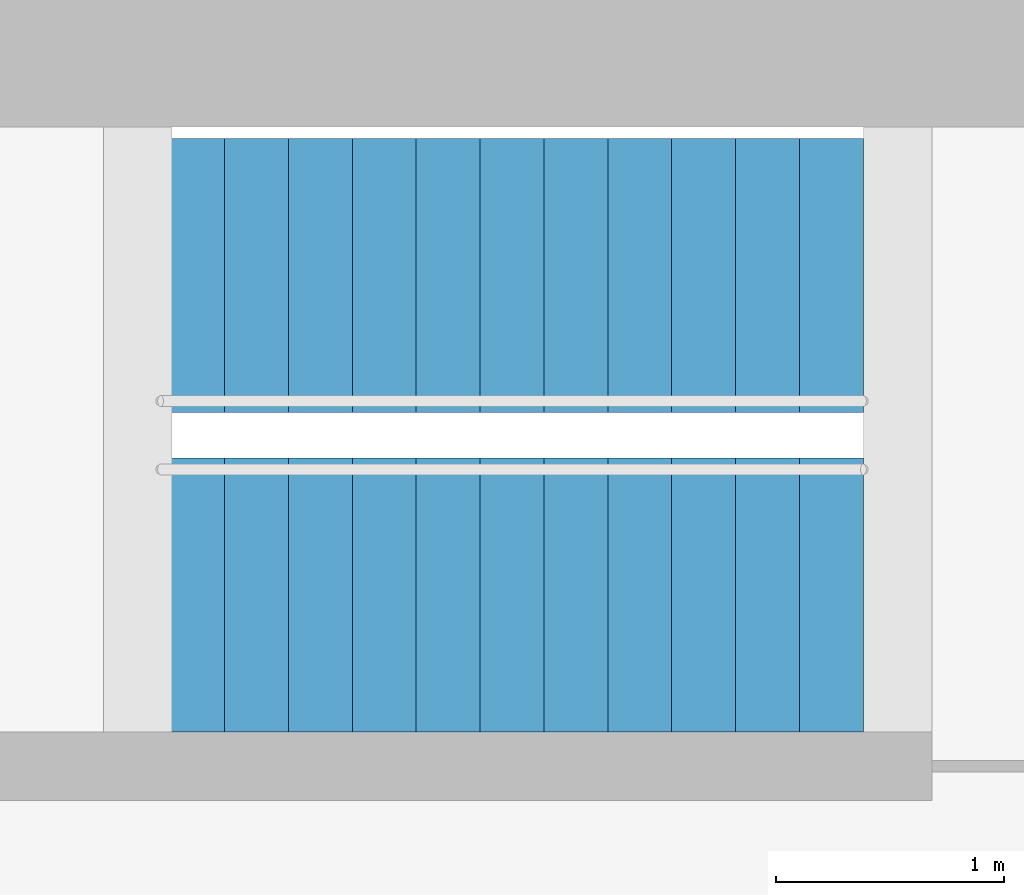
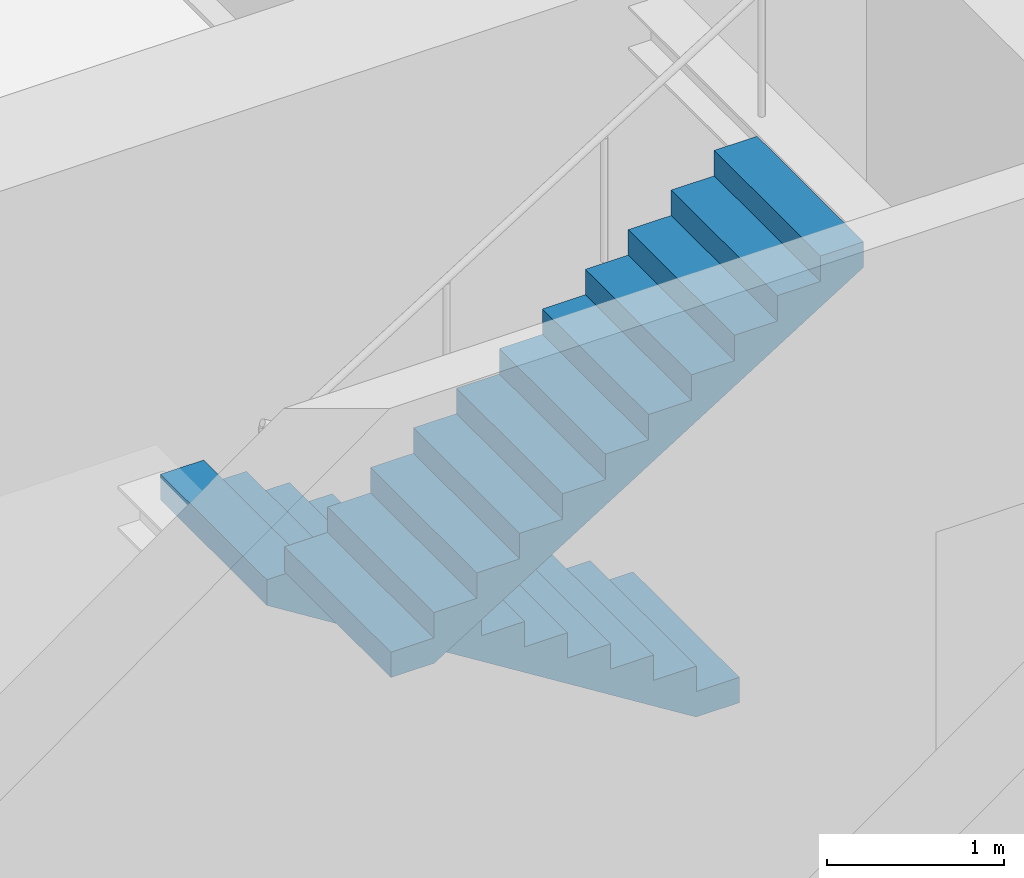
# One storey, part 16 of 17: 2 stair flights, 1 element without a shape of its own.
"""IFC4 building model written with IfcOpenShell, lengths in metres."""

from ifc_helpers import new_model, si_unit, direction, frame, origin, place, context, subcontext, project, spatial, polyline, outline, extrude, material, type_object, element, aggregate, save


model = new_model("IFC4")

# Units and contexts
model_context = context("Model", 3, precision=1e-05, world=origin(), true_north=direction((0.0, 1.0)))
body_context = subcontext(model_context, "Body", "Model", "MODEL_VIEW")
ifc_project = project(units=[si_unit("LENGTHUNIT", "METRE"), si_unit("AREAUNIT", "SQUARE_METRE"), si_unit("VOLUMEUNIT", "CUBIC_METRE"), si_unit("PLANEANGLEUNIT", "RADIAN"), si_unit("MASSUNIT", "GRAM", prefix="KILO")], contexts=[model_context])

# Site, building, storey
site_placement = place(None, origin())
site = spatial("IfcSite", under=ifc_project, at=site_placement, CompositionType="ELEMENT")
building_placement = place(site_placement, origin())
building = spatial("IfcBuilding", under=site, at=building_placement, Name="Rheinbord Bourse Tower", CompositionType="ELEMENT")
storey_placement = place(building_placement, frame((0.0, 0.0, 227.800048828125)))
storey = spatial("IfcBuildingStorey", under=building, at=storey_placement, Name="L51", CompositionType="ELEMENT", Elevation=227.800048828125)

# Stair, stair flights
ifc_material_1 = material(Name="Concrete C30/37", Category="concrete")
stair_type = type_object("IfcStairType", Name="CORE STAIR HALF TURN 4200", PredefinedType="HALF_TURN_STAIR", material=ifc_material_1)
stair_placement = place(storey_placement, origin())
stair = element("IfcStair", 1, at=stair_placement, inside=storey, type_object=stair_type, Name="Stair ST4 L51, type CS6", PredefinedType="HALF_TURN_STAIR")
ifc_material_2 = material(Name="Concrete C30/37", Category="concrete")
stair_flight_type = type_object("IfcStairFlightType", Name="CORE STAIR FLIGHT 1200, 12 RISERS", PredefinedType="STRAIGHT", material=ifc_material_2)
stair_flight_1_placement = place(storey_placement, frame((52.050048828125, 30.949951171875, 0.0), z_axis=(0.0, 0.0, 1.0), x_axis=(-1.0, 0.0, 0.0)))
stair_flight_1 = element("IfcStairFlight", 2, at=stair_flight_1_placement, type_object=stair_flight_type, Name="STAIR L51 ST4 F1", NumberOfRisers=12, NumberOfTreads=11, PredefinedType="STRAIGHT", RiserHeight=0.175, TreadLength=0.28, context=body_context, shape_type="SweptSolid", body=[
    extrude(outline(polyline([(0.0, 0.0), (0.0, 0.175048828125), (0.280029296875, 0.175048828125), (0.280029296875, 0.35009765625), (0.56005859375, 0.35009765625), (0.56005859375, 0.52490234375), (0.840087890625, 0.52490234375), (0.840087890625, 0.699951171875), (1.1201171875, 0.699951171875), (1.1201171875, 0.875), (1.39990234375, 0.875), (1.39990234375, 1.050048828125), (1.679931640625, 1.050048828125), (1.679931640625, 1.22509765625), (1.9599609375, 1.22509765625), (1.9599609375, 1.39990234375), (2.239990234375, 1.39990234375), (2.239990234375, 1.574951171875), (2.52001953125, 1.574951171875), (2.52001953125, 1.75), (2.800048828125, 1.75), (2.800048828125, 1.925048828125), (3.080078125, 1.925048828125), (3.080078125, 2.10009765625), (3.080078125, 1.748291015625), (0.28271484375, 0.0), (0.0, 0.0)])), frame((0.0, 0.60009765625, 0.0), z_axis=(0.0, -1.0, 0.0), x_axis=(1.0, 0.0, 0.0)), (0.0, 0.0, 1.0), 1.199951171875),
])
stair_flight_2_placement = place(storey_placement, frame((48.969970703125, 29.550048828125, 2.099853515625), z_axis=(0.0, 0.0, 1.0), x_axis=(1.0, 0.0, 0.0)))
stair_flight_2 = element("IfcStairFlight", 3, at=stair_flight_2_placement, type_object=stair_flight_type, Name="STAIR L51 ST4 F2", NumberOfRisers=12, NumberOfTreads=11, PredefinedType="STRAIGHT", RiserHeight=0.175, TreadLength=0.28, context=body_context, shape_type="SweptSolid", body=[
    extrude(outline(polyline([(0.0, 0.0), (0.0, 0.175048828125), (0.280029296875, 0.175048828125), (0.280029296875, 0.35009765625), (0.56005859375, 0.35009765625), (0.56005859375, 0.52490234375), (0.840087890625, 0.52490234375), (0.840087890625, 0.699951171875), (1.1201171875, 0.699951171875), (1.1201171875, 0.875), (1.39990234375, 0.875), (1.39990234375, 1.050048828125), (1.679931640625, 1.050048828125), (1.679931640625, 1.22509765625), (1.9599609375, 1.22509765625), (1.9599609375, 1.39990234375), (2.239990234375, 1.39990234375), (2.239990234375, 1.574951171875), (2.52001953125, 1.574951171875), (2.52001953125, 1.75), (2.800048828125, 1.75), (2.800048828125, 1.925048828125), (3.080078125, 1.925048828125), (3.080078125, 2.10009765625), (3.080078125, 1.748291015625), (0.28271484375, 0.0), (0.0, 0.0)])), frame((0.0, 0.60009765625, 0.0), z_axis=(0.0, -1.0, 0.0), x_axis=(1.0, 0.0, 0.0)), (0.0, 0.0, 1.0), 1.199951171875),
])
aggregate(stair, [stair_flight_1, stair_flight_2])

save(model, "model.ifc")
